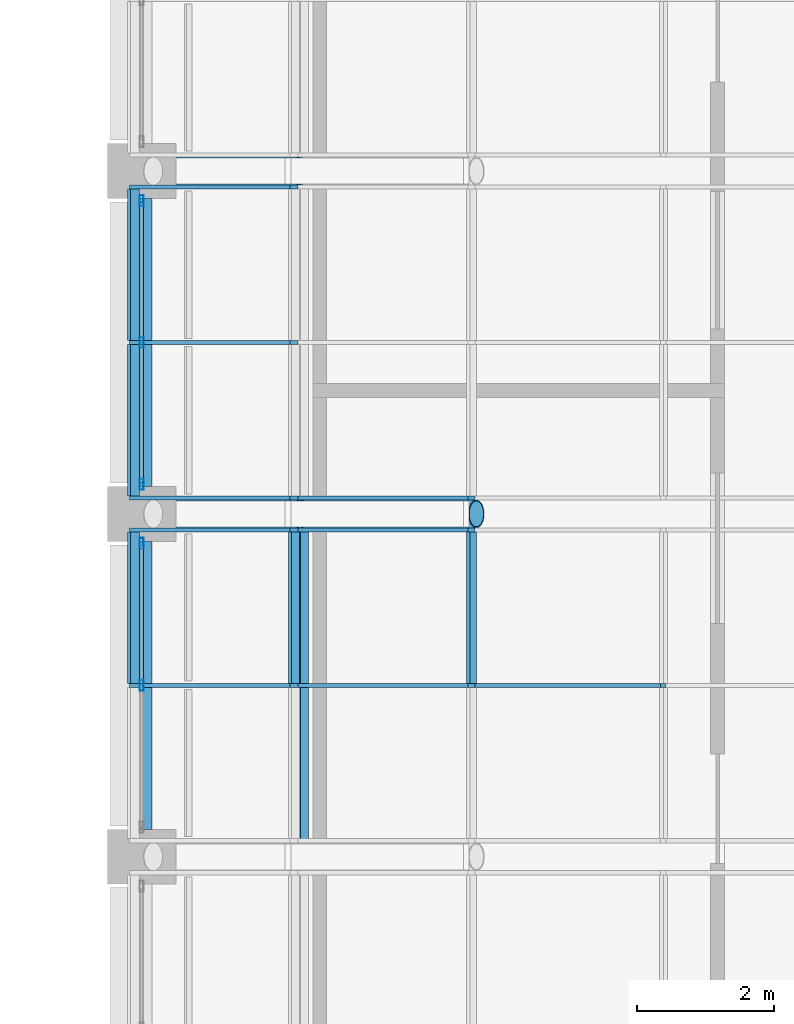
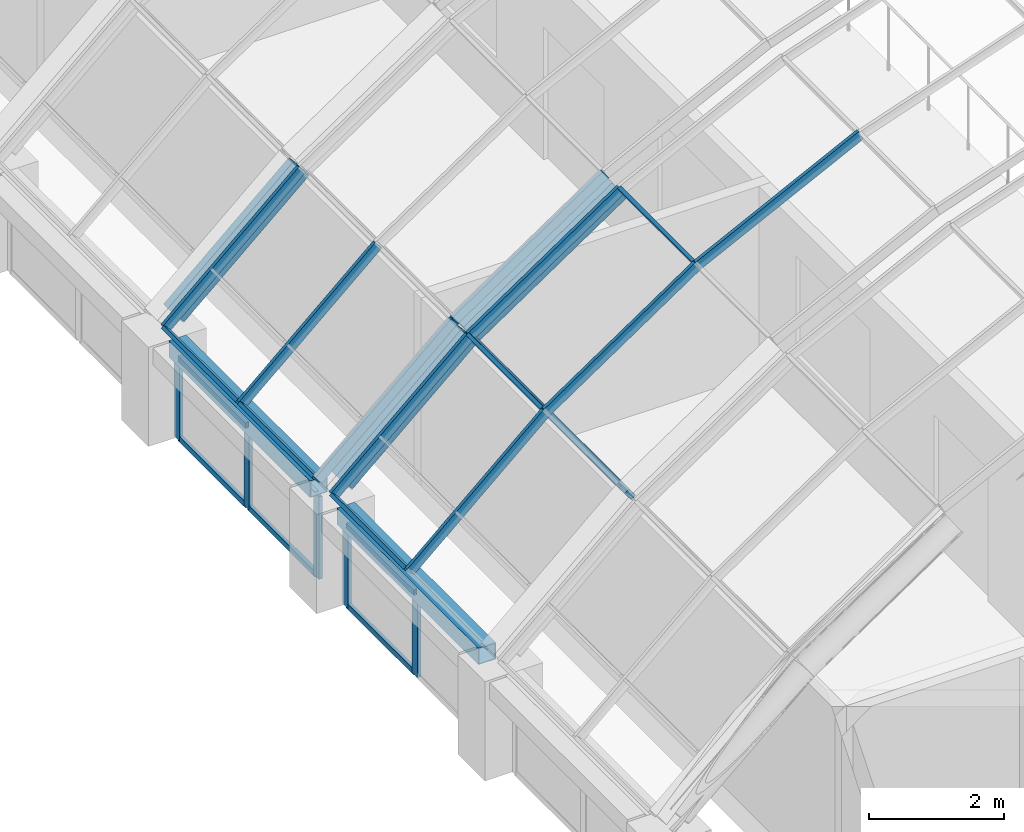
# One storey, part 41 of 182: 29 members, 2 beams, 4 elements without a shape of their own.
"""IFC4 building model written with IfcOpenShell, lengths in metres."""

import ifcopenshell
import ifcopenshell.guid

model = None  # the IFC model being written
_history = None  # IfcOwnerHistory: only IFC2X3 demands one
_inside = {}  # id of a spatial element -> (the spatial element, [elements in it])
_under = {}  # id of a project, library or spatial element -> (it, [spatial elements below it])
_declared = {}  # id of a project -> (the project, [libraries it declares])
_typed = {}  # id of a type object -> (the type object, [elements of that type])
_made_of = {}  # id of a material, layer set ... -> (it, [elements and type objects made of it])


def new_model(schema):
    """Start an empty IFC model of exactly this schema.

    Asked for "IFC4X3", IfcOpenShell would pick the latest addendum, in which some entities
    have other attributes; the version numbers below select the first issue.
    IFC2X3 requires an IfcOwnerHistory on every rooted entity: one is made here for all.
    """
    global model, _history
    if schema == "IFC4X3":
        model = ifcopenshell.file(schema_version=(4, 3, 0, 0))
    else:
        model = ifcopenshell.file(schema=schema)
    _inside.clear()
    _under.clear()
    _declared.clear()
    _typed.clear()
    _made_of.clear()
    _history = None
    if model.schema == "IFC2X3":
        org = make("IfcOrganization", Name="unknown")
        user = make(
            "IfcPersonAndOrganization",
            ThePerson=make("IfcPerson", FamilyName="unknown"),
            TheOrganization=org,
        )
        app = make(
            "IfcApplication",
            ApplicationDeveloper=org,
            Version="unknown",
            ApplicationFullName="unknown",
            ApplicationIdentifier="unknown",
        )
        _history = make(
            "IfcOwnerHistory",
            OwningUser=user,
            OwningApplication=app,
            ChangeAction="ADDED",
            CreationDate=0,
        )
    return model


def make(cls, **values):
    """One entity of the class cls with the attributes given. An attribute that is None is left unset."""
    return model.create_entity(
        cls, **{name: value for name, value in values.items() if value is not None}
    )


def rooted(cls, **values):
    """An entity with a GlobalId (a new one), such as an element, a storey or a relation."""
    return make(cls, GlobalId=ifcopenshell.guid.new(), OwnerHistory=_history, **values)


def si_unit(unit_type, name, prefix=None):
    """IfcSIUnit, for example si_unit("LENGTHUNIT", "METRE", prefix="MILLI")."""
    return make("IfcSIUnit", UnitType=unit_type, Prefix=prefix, Name=name)


def assignment(units):
    """IfcUnitAssignment: the units of a project."""
    return None if units is None else make("IfcUnitAssignment", Units=units)


def point(xyz):
    """IfcCartesianPoint."""
    return None if xyz is None else make("IfcCartesianPoint", Coordinates=xyz)


def direction(xyz):
    """IfcDirection."""
    return None if xyz is None else make("IfcDirection", DirectionRatios=xyz)


def frame(location, z_axis=None, x_axis=None):
    """IfcAxis2Placement3D, a coordinate frame: its origin and axes. An axis left out is left unset."""
    return make(
        "IfcAxis2Placement3D",
        Location=point(location),
        Axis=direction(z_axis),
        RefDirection=direction(x_axis),
    )


def frame_2d(location, x_axis=None):
    """IfcAxis2Placement2D, a coordinate frame in the plane: its origin and x axis."""
    return make(
        "IfcAxis2Placement2D", Location=point(location), RefDirection=direction(x_axis)
    )


def origin():
    """The frame at (0, 0, 0) with its axes left unset."""
    return frame((0.0, 0.0, 0.0))


def origin_2d():
    """The frame at (0, 0) in the plane with its x axis left unset."""
    return frame_2d((0.0, 0.0))


def place(relative_to, where):
    """IfcLocalPlacement: puts the frame where relative to a parent placement (None: the world)."""
    return make(
        "IfcLocalPlacement", PlacementRelTo=relative_to, RelativePlacement=where
    )


def context(
    kind, dimensions, precision=None, world=None, true_north=None, identifier=None
):
    """IfcGeometricRepresentationContext, for example the 3D "Model" context."""
    return make(
        "IfcGeometricRepresentationContext",
        ContextIdentifier=identifier,
        ContextType=kind,
        CoordinateSpaceDimension=dimensions,
        Precision=precision,
        WorldCoordinateSystem=world,
        TrueNorth=true_north,
    )


def subcontext(parent, identifier, kind, view, scale=None):
    """IfcGeometricRepresentationSubContext, for example "Body" below "Model"."""
    return make(
        "IfcGeometricRepresentationSubContext",
        ContextIdentifier=identifier,
        ContextType=kind,
        ParentContext=parent,
        TargetScale=scale,
        TargetView=view,
    )


def project(units=None, contexts=None):
    """IfcProject with its units and contexts."""
    return rooted(
        "IfcProject",
        Name="project",
        RepresentationContexts=contexts,
        UnitsInContext=assignment(units),
    )


def spatial(cls, under=None, at=None, **own):
    """A site, building, storey or space (cls), placed at a placement, below another one or the project."""
    s = rooted(cls, ObjectPlacement=at, **own)
    if under is not None:
        _under.setdefault(under.id(), (under, []))[1].append(s)
    return s


def profile(cls, at=None, kind="AREA", **sizes):
    """A parametric profile (cls). Its sizes go by their IFC names, for example OverallWidth=200.0."""
    return make(cls, ProfileType=kind, Position=at, **sizes)


def rectangle(**sizes):
    """IfcRectangleProfileDef."""
    return profile("IfcRectangleProfileDef", **sizes)


def hollow_rectangle(**sizes):
    """IfcRectangleHollowProfileDef."""
    return profile("IfcRectangleHollowProfileDef", **sizes)


def hollow_circle(**sizes):
    """IfcCircleHollowProfileDef."""
    return profile("IfcCircleHollowProfileDef", **sizes)


def extrude(swept, where, along, depth):
    """IfcExtrudedAreaSolid: the profile swept, set in the frame where, extruded along a direction by depth."""
    return make(
        "IfcExtrudedAreaSolid",
        SweptArea=swept,
        Position=where,
        ExtrudedDirection=direction(along),
        Depth=depth,
    )


def shape(context_of_items, identifier, shape_type, items):
    """IfcShapeRepresentation: the items that make up one representation, for example the "Body"."""
    return make(
        "IfcShapeRepresentation",
        ContextOfItems=context_of_items,
        RepresentationIdentifier=identifier,
        RepresentationType=shape_type,
        Items=items,
    )


def material(Name=None, Category=None):
    """IfcMaterial."""
    return make("IfcMaterial", Name=Name, Category=Category)


def material_profile(
    of_material, cross_section, Name=None, Category=None, Priority=None
):
    """IfcMaterialProfile: a cross section and its material."""
    return make(
        "IfcMaterialProfile",
        Name=Name,
        Material=of_material,
        Profile=cross_section,
        Priority=Priority,
        Category=Category,
    )


def profile_set(profiles, Name=None, composite=None):
    """IfcMaterialProfileSet."""
    return make(
        "IfcMaterialProfileSet",
        Name=Name,
        MaterialProfiles=profiles,
        CompositeProfile=composite,
    )


def made_of(thing, what):
    """Note that an element or type object is made of a material, layer set ...; save() writes the relation."""
    if what is not None:
        _made_of.setdefault(what.id(), (what, []))[1].append(thing)
    return thing


def type_object(cls, material=None, **own):
    """A type object (cls), such as IfcWallType, which elements share."""
    return made_of(rooted(cls, **own), material)


def element(
    cls,
    number,
    at=None,
    inside=None,
    cuts=None,
    type_object=None,
    material=None,
    context=None,
    identifier="Body",
    shape_type=None,
    held_by="IfcProductDefinitionShape",
    body=None,
    shapes=None,
    **own,
):
    """One element of the class cls, such as IfcWall. Its Tag is "e" and its number.

    at: its placement. inside: the storey or other place that contains it. cuts: it is an
    opening in that element (IfcRelVoidsElement). A single representation is given by context,
    identifier, shape_type and body (its items); several are given by shapes. held_by: the class
    of the entity that holds the representations. save() writes the other relations.
    """
    e = rooted(cls, Tag="e%d" % number, ObjectPlacement=at, **own)
    if body is not None:
        shapes = [shape(context, identifier, shape_type, body)]
    if shapes is not None:
        e.Representation = make(held_by, Representations=shapes)
    if inside is not None:
        _inside.setdefault(inside.id(), (inside, []))[1].append(e)
    if cuts is not None:
        rooted(
            "IfcRelVoidsElement", RelatingBuildingElement=cuts, RelatedOpeningElement=e
        )
    if type_object is not None:
        _typed.setdefault(type_object.id(), (type_object, []))[1].append(e)
    return made_of(e, material)


def aggregate(whole, parts):
    """IfcRelAggregates: a whole, such as a stair, and the parts it consists of."""
    return rooted("IfcRelAggregates", RelatingObject=whole, RelatedObjects=parts)


def save(model, path):
    """Write the relations noted so far, then the file.

    IfcRelAggregates (storeys below a building ...), IfcRelContainedInSpatialStructure (elements
    in a storey), IfcRelDefinesByType, IfcRelAssociatesMaterial and IfcRelDeclares: one each for
    every whole, place, type object, material and project.
    """
    for whole, parts in _under.values():
        aggregate(whole, parts)
    for where, things in _inside.values():
        rooted(
            "IfcRelContainedInSpatialStructure",
            RelatedElements=things,
            RelatingStructure=where,
        )
    for kind, things in _typed.values():
        rooted("IfcRelDefinesByType", RelatedObjects=things, RelatingType=kind)
    for what, things in _made_of.values():
        rooted("IfcRelAssociatesMaterial", RelatedObjects=things, RelatingMaterial=what)
    for by, libraries in _declared.values():
        rooted("IfcRelDeclares", RelatingContext=by, RelatedDefinitions=libraries)
    model.write(path)


model = new_model("IFC4")

# Units and contexts
model_context = context("Model", 3, precision=1e-05, world=origin(), true_north=direction((0.0, 1.0)))
body_context = subcontext(model_context, "Body", "Model", "MODEL_VIEW")
ifc_project = project(units=[si_unit("LENGTHUNIT", "METRE"), si_unit("AREAUNIT", "SQUARE_METRE"), si_unit("VOLUMEUNIT", "CUBIC_METRE"), si_unit("PLANEANGLEUNIT", "RADIAN"), si_unit("MASSUNIT", "GRAM", prefix="KILO")], contexts=[model_context])

# Site, building, storey
site_placement = place(None, origin())
site = spatial("IfcSite", under=ifc_project, at=site_placement, CompositionType="ELEMENT")
building_placement = place(site_placement, origin())
building = spatial("IfcBuilding", under=site, at=building_placement, Name="Okhra Congress Centre", CompositionType="ELEMENT")
storey_placement = place(building_placement, frame((0.0, 0.0, 7.199951171875)))
storey = spatial("IfcBuildingStorey", under=building, at=storey_placement, Name="L01", CompositionType="ELEMENT", Elevation=7.199951171875)

# Curtain wall, members
ifc_material_1 = material(Name="Aluminium frame with triple glazing", Category="aluminium")
curtain_wall_type_1 = type_object("IfcCurtainWallType", Name="Glazed vault bay curtain wall", PredefinedType="NOTDEFINED", material=ifc_material_1)
curtain_wall_1_placement = place(storey_placement, origin())
curtain_wall_1 = element("IfcCurtainWall", 1, at=curtain_wall_1_placement, inside=storey, type_object=curtain_wall_type_1, Name="Vault glazing bay 8", PredefinedType="NOTDEFINED")
ifc_material_2 = material(Name="Aluminium alloy 6063", Category="aluminium")
ifc_material_profile_1 = material_profile(ifc_material_2, rectangle(XDim=0.06005859375, YDim=0.179931640625, at=origin_2d()), Name="AL 60x180")
ifc_profile_set_1 = profile_set([ifc_material_profile_1], Name="Aluminium alloy 6063")
member_type_1 = type_object("IfcMemberType", Name="Aluminium mullion 60x180", PredefinedType="MULLION", material=ifc_profile_set_1)
member_1_placement = place(storey_placement, frame((155.382568359375, 113.5, 1.916015625), z_axis=(0.748025229923, 0.0, 0.663670291183), x_axis=(0.0, 1.0, 0.0)))
member_1 = element("IfcMember", 2, at=member_1_placement, type_object=member_type_1, Name="Vault mullion 8.2.1", PredefinedType="MULLION", context=body_context, shape_type="SweptSolid", body=[
    extrude(rectangle(XDim=0.06005859375, YDim=0.179931640625, at=origin_2d()), origin(), (0.0, 0.0, 1.0), 3.125732421875),
])
member_2_placement = place(storey_placement, frame((157.720703125, 113.5, 3.990478515625), z_axis=(0.828827846338, 0.0, 0.559503709671), x_axis=(0.0, 1.0, 0.0)))
member_2 = element("IfcMember", 3, at=member_2_placement, type_object=member_type_1, Name="Vault mullion 8.2.2", PredefinedType="MULLION", context=body_context, shape_type="SweptSolid", body=[
    extrude(rectangle(XDim=0.06005859375, YDim=0.179931640625, at=origin_2d()), origin(), (0.0, 0.0, 1.0), 3.12548828125),
])
member_3_placement = place(storey_placement, frame((160.311279296875, 113.5, 5.7392578125), z_axis=(0.895253656313, 0.0, 0.445556832354), x_axis=(0.0, 1.0, 0.0)))
member_3 = element("IfcMember", 4, at=member_3_placement, type_object=member_type_1, Name="Vault mullion 8.2.3", PredefinedType="MULLION", context=body_context, shape_type="SweptSolid", body=[
    extrude(rectangle(XDim=0.06005859375, YDim=0.179931640625, at=origin_2d()), origin(), (0.0, 0.0, 1.0), 3.12548828125),
])
member_4_placement = place(storey_placement, frame((155.382568359375, 115.766845703125, 1.916015625), z_axis=(0.748025229923, 0.0, 0.663670291183), x_axis=(0.0, 1.0, 0.0)))
member_4 = element("IfcMember", 5, at=member_4_placement, type_object=member_type_1, Name="Vault mullion 8.3.1", PredefinedType="MULLION", context=body_context, shape_type="SweptSolid", body=[
    extrude(rectangle(XDim=0.06005859375, YDim=0.179931640625, at=origin_2d()), origin(), (0.0, 0.0, 1.0), 3.125732421875),
])
member_5_placement = place(storey_placement, frame((157.720703125, 115.766845703125, 3.990478515625), z_axis=(0.828827846338, 0.0, 0.559503709671), x_axis=(0.0, 1.0, 0.0)))
member_5 = element("IfcMember", 6, at=member_5_placement, type_object=member_type_1, Name="Vault mullion 8.3.2", PredefinedType="MULLION", context=body_context, shape_type="SweptSolid", body=[
    extrude(rectangle(XDim=0.06005859375, YDim=0.179931640625, at=origin_2d()), origin(), (0.0, 0.0, 1.0), 3.12548828125),
])

curtain_wall_2_placement = place(storey_placement, origin())
curtain_wall_2 = element("IfcCurtainWall", 7, at=curtain_wall_2_placement, inside=storey, type_object=curtain_wall_type_1, Name="Vault glazing bay 9", PredefinedType="NOTDEFINED")
member_6_placement = place(storey_placement, frame((155.382568359375, 116.233154296875, 1.916015625), z_axis=(0.748025229923, 0.0, 0.663670291183), x_axis=(0.0, 1.0, 0.0)))
member_6 = element("IfcMember", 8, at=member_6_placement, type_object=member_type_1, Name="Vault mullion 9.1.1", PredefinedType="MULLION", context=body_context, shape_type="SweptSolid", body=[
    extrude(rectangle(XDim=0.06005859375, YDim=0.179931640625, at=origin_2d()), origin(), (0.0, 0.0, 1.0), 3.125732421875),
])
member_7_placement = place(storey_placement, frame((157.720703125, 116.233154296875, 3.990478515625), z_axis=(0.828827846338, 0.0, 0.559503709671), x_axis=(0.0, 1.0, 0.0)))
member_7 = element("IfcMember", 9, at=member_7_placement, type_object=member_type_1, Name="Vault mullion 9.1.2", PredefinedType="MULLION", context=body_context, shape_type="SweptSolid", body=[
    extrude(rectangle(XDim=0.06005859375, YDim=0.179931640625, at=origin_2d()), origin(), (0.0, 0.0, 1.0), 3.12548828125),
])
member_8_placement = place(storey_placement, frame((155.382568359375, 118.5, 1.916015625), z_axis=(0.748025229923, 0.0, 0.663670291183), x_axis=(0.0, 1.0, 0.0)))
member_8 = element("IfcMember", 10, at=member_8_placement, type_object=member_type_1, Name="Vault mullion 9.2.1", PredefinedType="MULLION", context=body_context, shape_type="SweptSolid", body=[
    extrude(rectangle(XDim=0.06005859375, YDim=0.179931640625, at=origin_2d()), origin(), (0.0, 0.0, 1.0), 3.125732421875),
])
member_9_placement = place(storey_placement, frame((155.382568359375, 120.766845703125, 1.916015625), z_axis=(0.748025229923, 0.0, 0.663670291183), x_axis=(0.0, 1.0, 0.0)))
member_9 = element("IfcMember", 11, at=member_9_placement, type_object=member_type_1, Name="Vault mullion 9.3.1", PredefinedType="MULLION", context=body_context, shape_type="SweptSolid", body=[
    extrude(rectangle(XDim=0.06005859375, YDim=0.179931640625, at=origin_2d()), origin(), (0.0, 0.0, 1.0), 3.125732421875),
])

# Member
ifc_material_profile_2 = material_profile(ifc_material_2, rectangle(XDim=0.06005859375, YDim=0.179931640625, at=origin_2d()), Name="AL 60x180 transom")
ifc_profile_set_2 = profile_set([ifc_material_profile_2], Name="Aluminium alloy 6063")
member_type_2 = type_object("IfcMemberType", Name="Aluminium transom 60x180", PredefinedType="USERDEFINED", material=ifc_profile_set_2)
member_10_placement = place(storey_placement, frame((155.382568359375, 113.530029296875, 1.916015625), z_axis=(0.0, 1.0, 0.0), x_axis=(-0.702636070549, 0.0, -0.711549402616)))
member_10 = element("IfcMember", 12, at=member_10_placement, type_object=member_type_2, Name="Vault transom 8.2.1", ObjectType="TRANSOM", PredefinedType="USERDEFINED", context=body_context, shape_type="SweptSolid", body=[
    extrude(rectangle(XDim=0.06005859375, YDim=0.179931640625, at=origin_2d()), origin(), (0.0, 0.0, 1.0), 2.206787109375),
])

member_11_placement = place(storey_placement, frame((157.720703125, 113.530029296875, 3.990478515625), z_axis=(0.0, 1.0, 0.0), x_axis=(-0.790145035185, 0.0, -0.612919915954)))
member_11 = element("IfcMember", 13, at=member_11_placement, type_object=member_type_2, Name="Vault transom 8.2.2", ObjectType="TRANSOM", PredefinedType="USERDEFINED", context=body_context, shape_type="SweptSolid", body=[
    extrude(rectangle(XDim=0.06005859375, YDim=0.179931640625, at=origin_2d()), origin(), (0.0, 0.0, 1.0), 2.206787109375),
])

member_12_placement = place(storey_placement, frame((160.311279296875, 113.530029296875, 5.7392578125), z_axis=(0.0, 1.0, 0.0), x_axis=(-0.86391685861, 0.0, -0.503634452167)))
member_12 = element("IfcMember", 14, at=member_12_placement, type_object=member_type_2, Name="Vault transom 8.2.3", ObjectType="TRANSOM", PredefinedType="USERDEFINED", context=body_context, shape_type="SweptSolid", body=[
    extrude(rectangle(XDim=0.06005859375, YDim=0.179931640625, at=origin_2d()), origin(), (0.0, 0.0, 1.0), 2.206787109375),
])

aggregate(curtain_wall_1, [member_1, member_2, member_3, member_4, member_5, member_10, member_11, member_12])

member_13_placement = place(storey_placement, frame((155.382568359375, 116.26318359375, 1.916015625), z_axis=(0.0, 1.0, 0.0), x_axis=(-0.702636070549, 0.0, -0.711549402616)))
member_13 = element("IfcMember", 15, at=member_13_placement, type_object=member_type_2, Name="Vault transom 9.1.1", ObjectType="TRANSOM", PredefinedType="USERDEFINED", context=body_context, shape_type="SweptSolid", body=[
    extrude(rectangle(XDim=0.06005859375, YDim=0.179931640625, at=origin_2d()), origin(), (0.0, 0.0, 1.0), 2.206787109375),
])

member_14_placement = place(storey_placement, frame((155.382568359375, 118.530029296875, 1.916015625), z_axis=(0.0, 1.0, 0.0), x_axis=(-0.702636070549, 0.0, -0.711549402616)))
member_14 = element("IfcMember", 16, at=member_14_placement, type_object=member_type_2, Name="Vault transom 9.2.1", ObjectType="TRANSOM", PredefinedType="USERDEFINED", context=body_context, shape_type="SweptSolid", body=[
    extrude(rectangle(XDim=0.06005859375, YDim=0.179931640625, at=origin_2d()), origin(), (0.0, 0.0, 1.0), 2.206787109375),
])

aggregate(curtain_wall_2, [member_6, member_7, member_8, member_9, member_13, member_14])

# Curtain wall, members
ifc_material_3 = material(Name="Aluminium curtain wall, triple glazing", Category="aluminium")
curtain_wall_type_2 = type_object("IfcCurtainWallType", Name="Curtain wall 2100 module", PredefinedType="NOTDEFINED", material=ifc_material_3)
curtain_wall_3_placement = place(storey_placement, origin())
curtain_wall_3 = element("IfcCurtainWall", 17, at=curtain_wall_3_placement, inside=storey, type_object=curtain_wall_type_2, Name="West bay 8 clerestory glazing", PredefinedType="NOTDEFINED")
ifc_material_4 = material(Name="Aluminium alloy EN AW-6063 T66", Category="aluminium")
ifc_material_profile_3 = material_profile(ifc_material_4, hollow_rectangle(XDim=0.06005859375, YDim=0.159912109375, WallThickness=0.00390625, at=origin_2d()), Name="RHS 60x160x4")
ifc_profile_set_3 = profile_set([ifc_material_profile_3], Name="Aluminium alloy EN AW-6063 T66")
member_type_3 = type_object("IfcMemberType", Name="Curtain wall mullion 60x160", PredefinedType="MULLION", material=ifc_profile_set_3)
member_15_placement = place(storey_placement, frame((155.5, 113.5, 0.0), z_axis=(0.0, 0.0, 1.0), x_axis=(-1.0, 0.0, 0.0)))
member_15 = element("IfcMember", 18, at=member_15_placement, type_object=member_type_3, Name="CW4 mullion 2", PredefinedType="MULLION", context=body_context, shape_type="SweptSolid", body=[
    extrude(hollow_rectangle(XDim=0.06005859375, YDim=0.159912109375, WallThickness=0.00390625, at=origin_2d()), origin(), (0.0, 0.0, 1.0), 1.5),
])
member_16_placement = place(storey_placement, frame((155.5, 115.570068359375, 0.0), z_axis=(0.0, 0.0, 1.0), x_axis=(-1.0, 0.0, 0.0)))
member_16 = element("IfcMember", 19, at=member_16_placement, type_object=member_type_3, Name="CW4 mullion 3", PredefinedType="MULLION", context=body_context, shape_type="SweptSolid", body=[
    extrude(hollow_rectangle(XDim=0.06005859375, YDim=0.159912109375, WallThickness=0.00390625, at=origin_2d()), origin(), (0.0, 0.0, 1.0), 1.5),
])

curtain_wall_4_placement = place(storey_placement, origin())
curtain_wall_4 = element("IfcCurtainWall", 20, at=curtain_wall_4_placement, inside=storey, type_object=curtain_wall_type_2, Name="West bay 9 clerestory glazing", PredefinedType="NOTDEFINED")
member_17_placement = place(storey_placement, frame((155.5, 116.429931640625, 0.0), z_axis=(0.0, 0.0, 1.0), x_axis=(-1.0, 0.0, 0.0)))
member_17 = element("IfcMember", 21, at=member_17_placement, type_object=member_type_3, Name="CW4 mullion 1", PredefinedType="MULLION", context=body_context, shape_type="SweptSolid", body=[
    extrude(hollow_rectangle(XDim=0.06005859375, YDim=0.159912109375, WallThickness=0.00390625, at=origin_2d()), origin(), (0.0, 0.0, 1.0), 1.5),
])
member_18_placement = place(storey_placement, frame((155.5, 118.5, 0.0), z_axis=(0.0, 0.0, 1.0), x_axis=(-1.0, 0.0, 0.0)))
member_18 = element("IfcMember", 22, at=member_18_placement, type_object=member_type_3, Name="CW4 mullion 2", PredefinedType="MULLION", context=body_context, shape_type="SweptSolid", body=[
    extrude(hollow_rectangle(XDim=0.06005859375, YDim=0.159912109375, WallThickness=0.00390625, at=origin_2d()), origin(), (0.0, 0.0, 1.0), 1.5),
])
member_19_placement = place(storey_placement, frame((155.5, 120.570068359375, 0.0), z_axis=(0.0, 0.0, 1.0), x_axis=(-1.0, 0.0, 0.0)))
member_19 = element("IfcMember", 23, at=member_19_placement, type_object=member_type_3, Name="CW4 mullion 3", PredefinedType="MULLION", context=body_context, shape_type="SweptSolid", body=[
    extrude(hollow_rectangle(XDim=0.06005859375, YDim=0.159912109375, WallThickness=0.00390625, at=origin_2d()), origin(), (0.0, 0.0, 1.0), 1.5),
])

# Member
ifc_material_profile_4 = material_profile(ifc_material_4, hollow_rectangle(XDim=0.06005859375, YDim=0.10009765625, WallThickness=0.00390625, at=origin_2d()), Name="RHS 60x100x4")
ifc_profile_set_4 = profile_set([ifc_material_profile_4], Name="Aluminium alloy EN AW-6063 T66")
member_type_4 = type_object("IfcMemberType", Name="Curtain wall transom 60x100", PredefinedType="USERDEFINED", material=ifc_profile_set_4)
member_20_placement = place(storey_placement, frame((155.5, 113.530029296875, 0.030029296875), z_axis=(0.0, 1.0, 0.0), x_axis=(-1.0, 0.0, 0.0)))
member_20 = element("IfcMember", 24, at=member_20_placement, type_object=member_type_4, Name="CW4 transom 2.1", ObjectType="TRANSOM", PredefinedType="USERDEFINED", context=body_context, shape_type="SweptSolid", body=[
    extrude(hollow_rectangle(XDim=0.06005859375, YDim=0.10009765625, WallThickness=0.00390625, at=origin_2d()), origin(), (0.0, 0.0, 1.0), 2.010009765625),
])

member_21_placement = place(storey_placement, frame((155.5, 113.530029296875, 1.469970703125), z_axis=(0.0, 1.0, 0.0), x_axis=(-1.0, 0.0, 0.0)))
member_21 = element("IfcMember", 25, at=member_21_placement, type_object=member_type_4, Name="CW4 transom 2.2", ObjectType="TRANSOM", PredefinedType="USERDEFINED", context=body_context, shape_type="SweptSolid", body=[
    extrude(hollow_rectangle(XDim=0.06005859375, YDim=0.10009765625, WallThickness=0.00390625, at=origin_2d()), origin(), (0.0, 0.0, 1.0), 2.010009765625),
])

aggregate(curtain_wall_3, [member_15, member_16, member_20, member_21])

member_22_placement = place(storey_placement, frame((155.5, 116.4599609375, 0.030029296875), z_axis=(0.0, 1.0, 0.0), x_axis=(-1.0, 0.0, 0.0)))
member_22 = element("IfcMember", 26, at=member_22_placement, type_object=member_type_4, Name="CW4 transom 1.1", ObjectType="TRANSOM", PredefinedType="USERDEFINED", context=body_context, shape_type="SweptSolid", body=[
    extrude(hollow_rectangle(XDim=0.06005859375, YDim=0.10009765625, WallThickness=0.00390625, at=origin_2d()), origin(), (0.0, 0.0, 1.0), 2.010009765625),
])

member_23_placement = place(storey_placement, frame((155.5, 116.4599609375, 1.469970703125), z_axis=(0.0, 1.0, 0.0), x_axis=(-1.0, 0.0, 0.0)))
member_23 = element("IfcMember", 27, at=member_23_placement, type_object=member_type_4, Name="CW4 transom 1.2", ObjectType="TRANSOM", PredefinedType="USERDEFINED", context=body_context, shape_type="SweptSolid", body=[
    extrude(hollow_rectangle(XDim=0.06005859375, YDim=0.10009765625, WallThickness=0.00390625, at=origin_2d()), origin(), (0.0, 0.0, 1.0), 2.010009765625),
])

member_24_placement = place(storey_placement, frame((155.5, 118.530029296875, 0.030029296875), z_axis=(0.0, 1.0, 0.0), x_axis=(-1.0, 0.0, 0.0)))
member_24 = element("IfcMember", 28, at=member_24_placement, type_object=member_type_4, Name="CW4 transom 2.1", ObjectType="TRANSOM", PredefinedType="USERDEFINED", context=body_context, shape_type="SweptSolid", body=[
    extrude(hollow_rectangle(XDim=0.06005859375, YDim=0.10009765625, WallThickness=0.00390625, at=origin_2d()), origin(), (0.0, 0.0, 1.0), 2.010009765625),
])

member_25_placement = place(storey_placement, frame((155.5, 118.530029296875, 1.469970703125), z_axis=(0.0, 1.0, 0.0), x_axis=(-1.0, 0.0, 0.0)))
member_25 = element("IfcMember", 29, at=member_25_placement, type_object=member_type_4, Name="CW4 transom 2.2", ObjectType="TRANSOM", PredefinedType="USERDEFINED", context=body_context, shape_type="SweptSolid", body=[
    extrude(hollow_rectangle(XDim=0.06005859375, YDim=0.10009765625, WallThickness=0.00390625, at=origin_2d()), origin(), (0.0, 0.0, 1.0), 2.010009765625),
])

aggregate(curtain_wall_4, [member_17, member_18, member_19, member_22, member_23, member_24, member_25])

# Beams
ifc_material_5 = material(Name="Steel S355J2", Category="steel")
ifc_material_profile_5 = material_profile(ifc_material_5, hollow_rectangle(XDim=0.300048828125, YDim=0.300048828125, WallThickness=0.012451171875, at=origin_2d()), Name="RHS 300x300x12.5")
ifc_profile_set_5 = profile_set([ifc_material_profile_5], Name="Steel S355J2")
beam_type = type_object("IfcBeamType", Name="Steel eaves beam RHS 300x300x12.5", PredefinedType="BEAM", material=ifc_profile_set_5)
for number, where, z_axis, x_axis, name in (
    (30, (155.5, 111.39990234375, 1.650146484375), (0.0, 1.0, 0.0), (-1.0, 0.0, 0.0), "Eaves beam W8"),
    (31, (155.5, 116.39990234375, 1.650146484375), (0.0, 1.0, 0.0), (-1.0, 0.0, 0.0), "Eaves beam W9"),
):
    element("IfcBeam", number, at=place(storey_placement, frame(where, z_axis=z_axis, x_axis=x_axis)), inside=storey, type_object=beam_type, Name=name, PredefinedType="BEAM", context=body_context, shape_type="SweptSolid", body=[
        extrude(hollow_rectangle(XDim=0.300048828125, YDim=0.300048828125, WallThickness=0.012451171875, at=origin_2d()), origin(), (0.0, 0.0, 1.0), 4.2001953125),
    ])

# Members
ifc_material_profile_6 = material_profile(ifc_material_5, hollow_rectangle(XDim=0.10009765625, YDim=0.199951171875, WallThickness=0.008056640625, at=origin_2d()), Name="RHS 200x100x8")
ifc_profile_set_6 = profile_set([ifc_material_profile_6], Name="Steel S355J2")
member_type_5 = type_object("IfcMemberType", Name="Steel purlin RHS 200x100x8", PredefinedType="PURLIN", material=ifc_profile_set_6)
member_26_placement = place(storey_placement, frame((157.837158203125, 111.203125, 3.84033203125), z_axis=(0.0, 1.0, 0.0), x_axis=(-0.790145035185, 0.0, -0.612919915954)))
element("IfcMember", 32, at=member_26_placement, inside=storey, type_object=member_type_5, Name="Vault purlin 8.1", PredefinedType="PURLIN", context=body_context, shape_type="SweptSolid", body=[
    extrude(hollow_rectangle(XDim=0.10009765625, YDim=0.199951171875, WallThickness=0.008056640625, at=origin_2d()), origin(), (0.0, 0.0, 1.0), 4.59375),
])
ifc_material_profile_7 = material_profile(ifc_material_5, hollow_circle(Radius=0.203125, WallThickness=0.01611328125, at=origin_2d()), Name="CHS 406.4x16")
ifc_profile_set_7 = profile_set([ifc_material_profile_7], Name="Steel S355J2")
member_type_6 = type_object("IfcMemberType", Name="Tubular steel arch rib CHS 406x16", PredefinedType="USERDEFINED", material=ifc_profile_set_7)
member_27_placement = place(storey_placement, frame((155.67138671875, 116.0, 1.9521484375), z_axis=(0.74800221093, 0.0, 0.663696235069), x_axis=(0.0, 1.0, 0.0)))
element("IfcMember", 33, at=member_27_placement, inside=storey, type_object=member_type_6, Name="Arch rib 9.1", ObjectType="Arch rib", PredefinedType="USERDEFINED", context=body_context, shape_type="SweptSolid", body=[
    extrude(hollow_circle(Radius=0.203125, WallThickness=0.01611328125, at=origin_2d()), origin(), (0.0, 0.0, 1.0), 2.861083984375),
])
member_28_placement = place(storey_placement, frame((157.8330078125, 116.0, 3.86767578125), z_axis=(0.82882567543, 0.0, 0.559506925558), x_axis=(0.0, 1.0, 0.0)))
element("IfcMember", 34, at=member_28_placement, inside=storey, type_object=member_type_6, Name="Arch rib 9.2", ObjectType="Arch rib", PredefinedType="USERDEFINED", context=body_context, shape_type="SweptSolid", body=[
    extrude(hollow_circle(Radius=0.203125, WallThickness=0.01611328125, at=origin_2d()), origin(), (0.0, 0.0, 1.0), 3.07666015625),
])
member_29_placement = place(storey_placement, frame((155.67138671875, 121.0, 1.9521484375), z_axis=(0.74800221093, 0.0, 0.663696235069), x_axis=(0.0, 1.0, 0.0)))
element("IfcMember", 35, at=member_29_placement, inside=storey, type_object=member_type_6, Name="Arch rib 10.1", ObjectType="Arch rib", PredefinedType="USERDEFINED", context=body_context, shape_type="SweptSolid", body=[
    extrude(hollow_circle(Radius=0.203125, WallThickness=0.01611328125, at=origin_2d()), origin(), (0.0, 0.0, 1.0), 2.861083984375),
])

save(model, "model.ifc")
